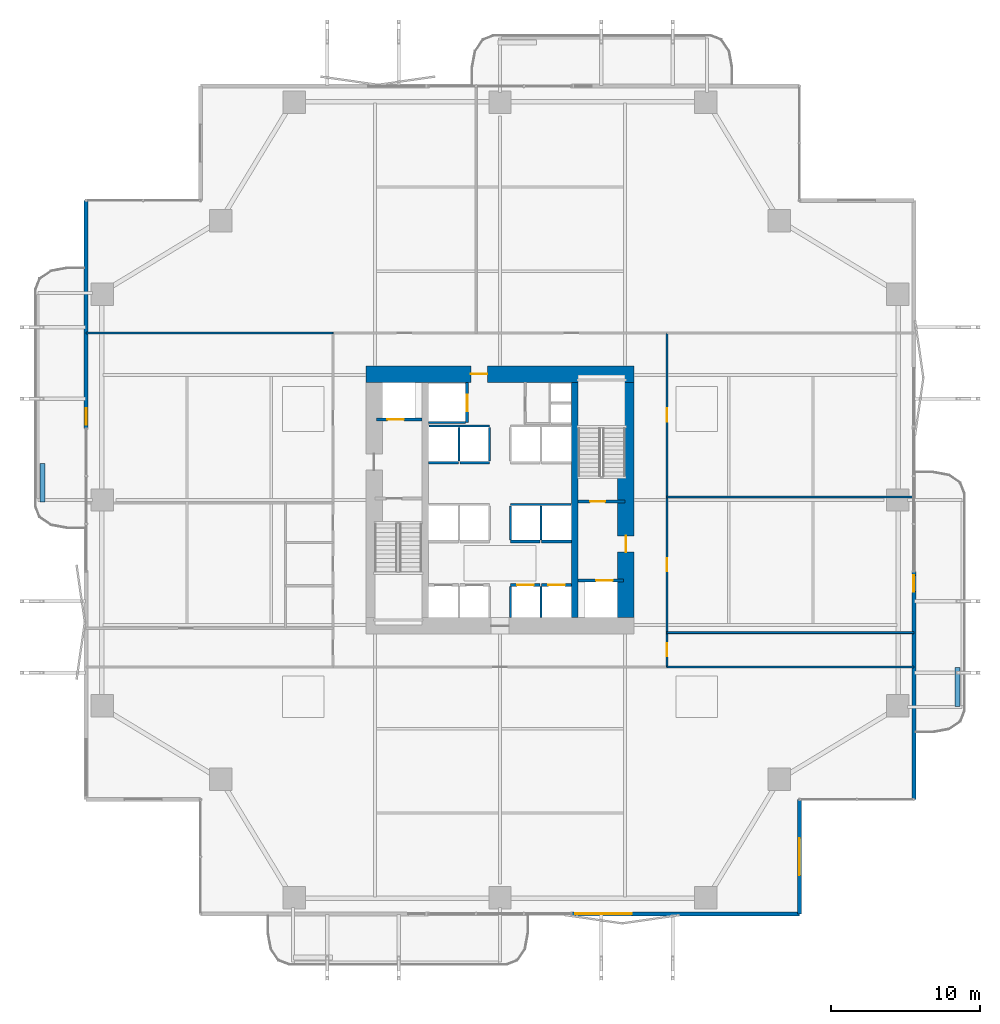
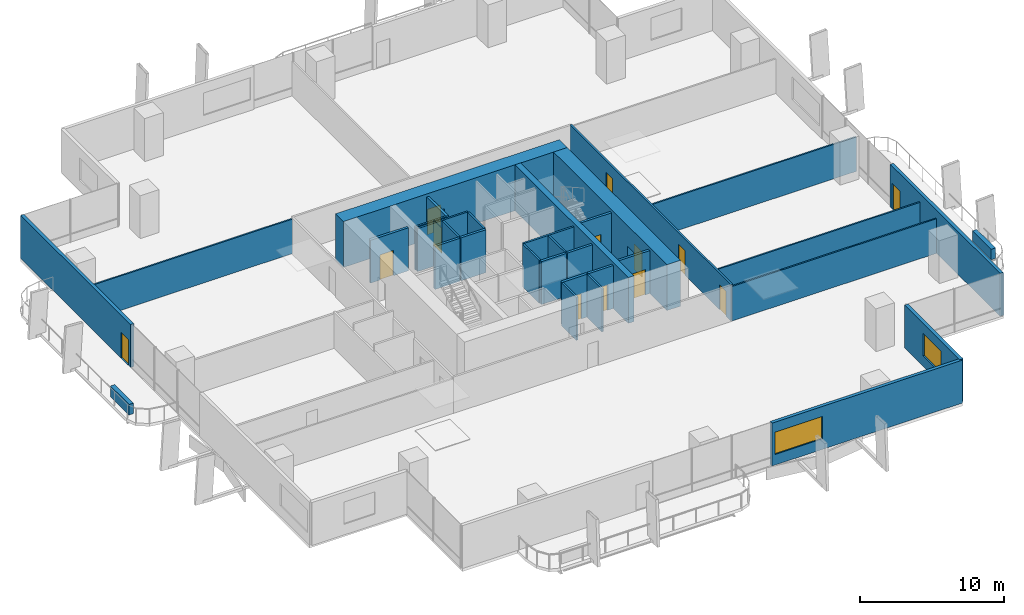
# One storey, part 25 of 30: 33 walls, 13 doors, 2 windows, 15 openings.
"""IFC4 building model written with IfcOpenShell, lengths in metres."""

from ifc_helpers import new_model, si_unit, direction, frame, frame_2d, origin, place, context, subcontext, project, spatial, rectangle, extrude, material, layer, layer_set, type_object, element, fill, save


model = new_model("IFC4")

# Units and contexts
model_context = context("Model", 3, precision=1e-05, world=origin(), true_north=direction((0.0, 1.0)))
body_context = subcontext(model_context, "Body", "Model", "MODEL_VIEW")
ifc_project = project(units=[si_unit("LENGTHUNIT", "METRE"), si_unit("AREAUNIT", "SQUARE_METRE"), si_unit("VOLUMEUNIT", "CUBIC_METRE"), si_unit("PLANEANGLEUNIT", "RADIAN"), si_unit("MASSUNIT", "GRAM", prefix="KILO")], contexts=[model_context])

# Site, building, storey
site_placement = place(None, origin())
site = spatial("IfcSite", under=ifc_project, at=site_placement, CompositionType="ELEMENT")
building_placement = place(site_placement, origin())
building = spatial("IfcBuilding", under=site, at=building_placement, Name="Belovzor Exchange Tower", CompositionType="ELEMENT")
storey_placement = place(building_placement, frame((0.0, 0.0, 30.0)))
storey = spatial("IfcBuildingStorey", under=building, at=storey_placement, Name="L06", CompositionType="ELEMENT", Elevation=30.0)

# Walls
ifc_material_1 = material(Name="Acoustic Plasterboard on Galvanised Studs", Category="gypsum")
ifc_layer_1 = layer(ifc_material_1, 0.1201171875)
ifc_layer_set_1 = layer_set([ifc_layer_1], Name="Acoustic Plasterboard on Galvanised Studs")
wall_type_1 = type_object("IfcWallType", Name="Acoustic Double-Stud Partition Wall 120", PredefinedType="PARTITIONING", material=ifc_layer_set_1)
for number, where, z_axis, x_axis, name in (
    (1, (40.0, 17.60009765625, 0.0), (0.0, 0.0, 1.0), (1.0, 0.0, 0.0), "W-P120 Partition Wall W-L06-END-SE"),
    (2, (1.030029296875, 40.0, 0.0), (0.0, 0.0, 1.0), (1.0, 0.0, 0.0), "W-P120 Partition Wall W-L06-END-NW"),
    (3, (40.0, 19.89990234375, 0.0), (0.0, 0.0, 1.0), (1.0, 0.0, 0.0), "W-P120 Partition Wall W-L06-EDIV-1"),
    (4, (40.0, 29.008056640625, 0.0), (0.0, 0.0, 1.0), (1.0, 0.0, 0.0), "W-P120 Partition Wall W-L06-EDIV-2"),
):
    element("IfcWall", number, at=place(storey_placement, frame(where, z_axis=z_axis, x_axis=x_axis)), inside=storey, type_object=wall_type_1, Name=name, PredefinedType="PARTITIONING", context=body_context, shape_type="SweptSolid", body=[
        extrude(rectangle(XDim=16.570068359375, YDim=0.1201171875, at=frame_2d((8.28515625, 0.0))), origin(), (0.0, 0.0, 1.0), 2.93505859375),
    ])

# Wall, openings, doors
ifc_material_2 = material(Name="Fire-Rated Gypsum Block and Mineral Wool", Category="gypsum")
ifc_layer_2 = layer(ifc_material_2, 0.14990234375)
ifc_layer_set_2 = layer_set([ifc_layer_2], Name="Fire-Rated Gypsum Block and Mineral Wool")
wall_type_2 = type_object("IfcWallType", Name="Fire-Rated Gypsum Block Corridor Wall 150", PredefinedType="PARTITIONING", material=ifc_layer_set_2)
wall_1_placement = place(storey_placement, frame((40.0, 17.60009765625, 0.0), z_axis=(0.0, 0.0, 1.0), x_axis=(0.0, 1.0, 0.0)))
wall_1 = element("IfcWall", 5, at=wall_1_placement, inside=storey, type_object=wall_type_2, Name="W-P150 Partition Wall W-L06-CE", PredefinedType="PARTITIONING", context=body_context, shape_type="SweptSolid", body=[
    extrude(rectangle(XDim=22.39990234375, YDim=0.14990234375, at=frame_2d((11.199951171875, 0.0))), origin(), (0.0, 0.0, 1.0), 3.0849609375),
])
opening_1_placement = place(wall_1_placement, frame((0.699951171875, 0.0, 0.0)))
opening_1 = element("IfcOpeningElement", 6, at=opening_1_placement, cuts=wall_1, Name="Opening D-INT-090", PredefinedType="OPENING", context=body_context, shape_type="SweptSolid", body=[
    extrude(rectangle(XDim=0.89990234375, YDim=2.10009765625, at=frame_2d((0.449951171875, 1.050048828125))), frame((0.0, 0.0849609375, 0.0), z_axis=(0.0, -1.0, 0.0), x_axis=(1.0, 0.0, 0.0)), (0.0, 0.0, 1.0), 0.169921875),
])
opening_2_placement = place(wall_1_placement, frame((6.404052734375, 0.0, 0.0)))
opening_2 = element("IfcOpeningElement", 7, at=opening_2_placement, cuts=wall_1, Name="Opening D-INT-090", PredefinedType="OPENING", context=body_context, shape_type="SweptSolid", body=[
    extrude(rectangle(XDim=0.89990234375, YDim=2.10009765625, at=frame_2d((0.449951171875, 1.050048828125))), frame((0.0, 0.0849609375, 0.0), z_axis=(0.0, -1.0, 0.0), x_axis=(1.0, 0.0, 0.0)), (0.0, 0.0, 1.0), 0.169921875),
])
opening_3_placement = place(wall_1_placement, frame((16.4541015625, 0.0, 0.0)))
opening_3 = element("IfcOpeningElement", 8, at=opening_3_placement, cuts=wall_1, Name="Opening D-INT-090", PredefinedType="OPENING", context=body_context, shape_type="SweptSolid", body=[
    extrude(rectangle(XDim=0.89990234375, YDim=2.10009765625, at=frame_2d((0.449951171875, 1.050048828125))), frame((0.0, 0.0849609375, 0.0), z_axis=(0.0, -1.0, 0.0), x_axis=(1.0, 0.0, 0.0)), (0.0, 0.0, 1.0), 0.169921875),
])
ifc_material_3 = material(Name="Veneered Hardwood Acoustic Leaf", Category="wood")
door_type_1 = type_object("IfcDoorType", Name="Trading Suite Acoustic Single Door 900x2100", OperationType="NOTDEFINED", PredefinedType="DOOR", material=ifc_material_3)
door_1_placement = place(opening_1_placement, origin())
door_1 = element("IfcDoor", 9, at=door_1_placement, inside=storey, type_object=door_type_1, Name="D-INT-090 Trading Suite Acoustic Single Door 900x2100", OperationType="SINGLE_SWING_RIGHT", OverallHeight=2.10009765625, OverallWidth=0.89990234375, PredefinedType="DOOR", context=body_context, shape_type="SweptSolid", body=[
    extrude(rectangle(XDim=0.89990234375, YDim=2.10009765625, at=frame_2d((0.449951171875, 1.050048828125))), frame((0.0, 0.02490234375, 0.0), z_axis=(0.0, -1.0, 0.0), x_axis=(1.0, 0.0, 0.0)), (0.0, 0.0, 1.0), 0.050048828125),
])
fill(opening_1, door_1)
door_2_placement = place(opening_2_placement, origin())
door_2 = element("IfcDoor", 10, at=door_2_placement, inside=storey, type_object=door_type_1, Name="D-INT-090 Trading Suite Acoustic Single Door 900x2100", OperationType="SINGLE_SWING_LEFT", OverallHeight=2.10009765625, OverallWidth=0.89990234375, PredefinedType="DOOR", context=body_context, shape_type="SweptSolid", body=[
    extrude(rectangle(XDim=0.89990234375, YDim=2.10009765625, at=frame_2d((0.449951171875, 1.050048828125))), frame((0.0, 0.02490234375, 0.0), z_axis=(0.0, -1.0, 0.0), x_axis=(1.0, 0.0, 0.0)), (0.0, 0.0, 1.0), 0.050048828125),
])
fill(opening_2, door_2)
door_3_placement = place(opening_3_placement, origin())
door_3 = element("IfcDoor", 11, at=door_3_placement, inside=storey, type_object=door_type_1, Name="D-INT-090 Trading Suite Acoustic Single Door 900x2100", OperationType="SINGLE_SWING_RIGHT", OverallHeight=2.10009765625, OverallWidth=0.89990234375, PredefinedType="DOOR", context=body_context, shape_type="SweptSolid", body=[
    extrude(rectangle(XDim=0.89990234375, YDim=2.10009765625, at=frame_2d((0.449951171875, 1.050048828125))), frame((0.0, 0.02490234375, 0.0), z_axis=(0.0, -1.0, 0.0), x_axis=(1.0, 0.0, 0.0)), (0.0, 0.0, 1.0), 0.050048828125),
])
fill(opening_3, door_3)

# Wall, opening, window
ifc_material_4 = material(Name="Precast concrete C40/50", Category="concrete")
ifc_layer_3 = layer(ifc_material_4, 0.280029296875)
ifc_layer_set_3 = layer_set([ifc_layer_3], Name="Precast concrete C40/50")
wall_type_3 = type_object("IfcWallType", Name="Precast Concrete Notched Corner Frame Wall 280", PredefinedType="SOLIDWALL", material=ifc_layer_set_3)
wall_2_placement = place(storey_placement, frame((48.89990234375, 8.699951171875, 0.0), z_axis=(0.0, 0.0, 1.0), x_axis=(0.0, -1.0, 0.0)))
wall_2 = element("IfcWall", 12, at=wall_2_placement, inside=storey, type_object=wall_type_3, Name="W-CRN280 Precast Concrete Notched Corner Frame Wall 280 L06", PredefinedType="SOLIDWALL", context=body_context, shape_type="SweptSolid", body=[
    extrude(rectangle(XDim=7.669921875, YDim=0.280029296875, at=frame_2d((3.8349609375, 0.0))), origin(), (0.0, 0.0, 1.0), 3.64990234375),
])
opening_4_placement = place(wall_2_placement, frame((2.5849609375, 0.0, 0.89990234375)))
opening_4 = element("IfcOpeningElement", 13, at=opening_4_placement, cuts=wall_2, Name="Opening WN-CRN250", PredefinedType="OPENING", context=body_context, shape_type="SweptSolid", body=[
    extrude(rectangle(XDim=2.5, YDim=1.89990234375, at=frame_2d((1.25, 0.949951171875))), frame((0.0, 0.14990234375, 0.0), z_axis=(0.0, -1.0, 0.0), x_axis=(1.0, 0.0, 0.0)), (0.0, 0.0, 1.0), 0.300048828125),
])
ifc_material_5 = material(Name="Thermally Broken Aluminium and Triple Glazing", Category="aluminium")
window_type_1 = type_object("IfcWindowType", Name="Streamline Moderne Corner Wrap Ribbon Window 2500x1900", PartitioningType="SINGLE_PANEL", PredefinedType="WINDOW", material=ifc_material_5)
window_1_placement = place(opening_4_placement, origin())
window_1 = element("IfcWindow", 14, at=window_1_placement, inside=storey, type_object=window_type_1, Name="WN-CRN250 Streamline Moderne Corner Wrap Ribbon Window 2500x1900", OverallHeight=1.89990234375, OverallWidth=2.5, PartitioningType="SINGLE_PANEL", PredefinedType="WINDOW", context=body_context, shape_type="SweptSolid", body=[
    extrude(rectangle(XDim=2.5, YDim=1.89990234375, at=frame_2d((1.25, 0.949951171875))), frame((0.0, 0.030029296875, 0.0), z_axis=(0.0, -1.0, 0.0), x_axis=(1.0, 0.0, 0.0)), (0.0, 0.0, 1.0), 0.06005859375),
])
fill(opening_4, window_1)

ifc_material_6 = material(Name="Precast concrete C40/50", Category="concrete")
ifc_layer_4 = layer(ifc_material_6, 0.260009765625)
ifc_layer_set_4 = layer_set([ifc_layer_4], Name="Precast concrete C40/50")
wall_type_4 = type_object("IfcWallType", Name="Precast Concrete Perimeter Loggia Frame Wall 260", PredefinedType="SOLIDWALL", material=ifc_layer_set_4)
wall_3_placement = place(storey_placement, frame((48.89990234375, 1.030029296875, 0.0), z_axis=(0.0, 0.0, 1.0), x_axis=(-1.0, 0.0, 0.0)))
wall_3 = element("IfcWall", 15, at=wall_3_placement, inside=storey, type_object=wall_type_4, Name="W-EXT260 Precast Concrete Perimeter Loggia Frame Wall 260 L06", PredefinedType="SOLIDWALL", context=body_context, shape_type="SweptSolid", body=[
    extrude(rectangle(XDim=15.2998046875, YDim=0.260009765625, at=frame_2d((7.64990234375, 0.0))), origin(), (0.0, 0.0, 1.0), 3.64990234375),
])
opening_5_placement = place(wall_3_placement, frame((11.25, 0.0, 0.89990234375)))
opening_5 = element("IfcOpeningElement", 16, at=opening_5_placement, cuts=wall_3, Name="Opening WN-RIB380", PredefinedType="OPENING", context=body_context, shape_type="SweptSolid", body=[
    extrude(rectangle(XDim=3.800048828125, YDim=1.89990234375, at=frame_2d((1.89990234375, 0.949951171875))), frame((0.0, 0.139892578125, 0.0), z_axis=(0.0, -1.0, 0.0), x_axis=(1.0, 0.0, 0.0)), (0.0, 0.0, 1.0), 0.280029296875),
])
ifc_material_7 = material(Name="Thermally Broken Aluminium and Triple Glazing", Category="aluminium")
window_type_2 = type_object("IfcWindowType", Name="Streamline Moderne Horizontal Ribbon Window 3800x1900", PartitioningType="SINGLE_PANEL", PredefinedType="WINDOW", material=ifc_material_7)
window_2_placement = place(opening_5_placement, origin())
window_2 = element("IfcWindow", 17, at=window_2_placement, inside=storey, type_object=window_type_2, Name="WN-RIB380 Streamline Moderne Horizontal Ribbon Window 3800x1900", OverallHeight=1.89990234375, OverallWidth=3.800048828125, PartitioningType="SINGLE_PANEL", PredefinedType="WINDOW", context=body_context, shape_type="SweptSolid", body=[
    extrude(rectangle(XDim=3.800048828125, YDim=1.89990234375, at=frame_2d((1.89990234375, 0.949951171875))), frame((0.0, 0.030029296875, 0.0), z_axis=(0.0, -1.0, 0.0), x_axis=(1.0, 0.0, 0.0)), (0.0, 0.0, 1.0), 0.06005859375),
])
fill(opening_5, window_2)

# Wall, opening, door
wall_4_placement = place(storey_placement, frame((1.030029296875, 33.60009765625, 0.0), z_axis=(0.0, 0.0, 1.0), x_axis=(0.0, 1.0, 0.0)))
wall_4 = element("IfcWall", 18, at=wall_4_placement, inside=storey, type_object=wall_type_4, Name="W-EXT260 Precast Concrete Perimeter Loggia Frame Wall 260 L06", PredefinedType="SOLIDWALL", context=body_context, shape_type="SweptSolid", body=[
    extrude(rectangle(XDim=15.2998046875, YDim=0.260009765625, at=frame_2d((7.64990234375, 0.0))), origin(), (0.0, 0.0, 1.0), 3.64990234375),
])
opening_6_placement = place(wall_4_placement, frame((0.25, 0.0, 0.0)))
opening_6 = element("IfcOpeningElement", 19, at=opening_6_placement, cuts=wall_4, Name="Opening D-BAL110", PredefinedType="OPENING", context=body_context, shape_type="SweptSolid", body=[
    extrude(rectangle(XDim=1.10009765625, YDim=2.199951171875, at=frame_2d((0.550048828125, 1.10009765625))), frame((0.0, 0.139892578125, 0.0), z_axis=(0.0, -1.0, 0.0), x_axis=(1.0, 0.0, 0.0)), (0.0, 0.0, 1.0), 0.280029296875),
])
ifc_material_8 = material(Name="Thermally Broken Anodised Aluminium and Laminated Glass", Category="aluminium")
door_type_2 = type_object("IfcDoorType", Name="Planted Loggia Terrace Glazed Door 1100x2200", OperationType="SINGLE_SWING_LEFT", PredefinedType="DOOR", material=ifc_material_8)
door_4_placement = place(opening_6_placement, origin())
door_4 = element("IfcDoor", 20, at=door_4_placement, inside=storey, type_object=door_type_2, Name="D-BAL110 Balcony Terrace Door L06 W", OperationType="SINGLE_SWING_RIGHT", OverallHeight=2.199951171875, OverallWidth=1.10009765625, PredefinedType="DOOR", context=body_context, shape_type="SweptSolid", body=[
    extrude(rectangle(XDim=1.10009765625, YDim=2.199951171875, at=frame_2d((0.550048828125, 1.10009765625))), frame((0.0, 0.02490234375, 0.0), z_axis=(0.0, -1.0, 0.0), x_axis=(1.0, 0.0, 0.0)), (0.0, 0.0, 1.0), 0.050048828125),
])
fill(opening_6, door_4)

wall_5_placement = place(storey_placement, frame((56.570068359375, 24.0, 0.0), z_axis=(0.0, 0.0, 1.0), x_axis=(0.0, -1.0, 0.0)))
wall_5 = element("IfcWall", 21, at=wall_5_placement, inside=storey, type_object=wall_type_4, Name="W-EXT260 Precast Concrete Perimeter Loggia Frame Wall 260 L06", PredefinedType="SOLIDWALL", context=body_context, shape_type="SweptSolid", body=[
    extrude(rectangle(XDim=15.300048828125, YDim=0.260009765625, at=frame_2d((7.64990234375, 0.0))), origin(), (0.0, 0.0, 1.0), 3.64990234375),
])
opening_7_placement = place(wall_5_placement, frame((0.25, 0.0, 0.0)))
opening_7 = element("IfcOpeningElement", 22, at=opening_7_placement, cuts=wall_5, Name="Opening D-BAL110", PredefinedType="OPENING", context=body_context, shape_type="SweptSolid", body=[
    extrude(rectangle(XDim=1.10009765625, YDim=2.199951171875, at=frame_2d((0.550048828125, 1.10009765625))), frame((0.0, 0.139892578125, 0.0), z_axis=(0.0, -1.0, 0.0), x_axis=(1.0, 0.0, 0.0)), (0.0, 0.0, 1.0), 0.280029296875),
])
door_5_placement = place(opening_7_placement, origin())
door_5 = element("IfcDoor", 23, at=door_5_placement, inside=storey, type_object=door_type_2, Name="D-BAL110 Balcony Terrace Door L06 E", OperationType="SINGLE_SWING_LEFT", OverallHeight=2.199951171875, OverallWidth=1.10009765625, PredefinedType="DOOR", context=body_context, shape_type="SweptSolid", body=[
    extrude(rectangle(XDim=1.10009765625, YDim=2.199951171875, at=frame_2d((0.550048828125, 1.10009765625))), frame((0.0, 0.02490234375, 0.0), z_axis=(0.0, -1.0, 0.0), x_axis=(1.0, 0.0, 0.0)), (0.0, 0.0, 1.0), 0.050048828125),
])
fill(opening_7, door_5)

# Walls
ifc_material_9 = material(Name="Precast concrete C40/50", Category="concrete")
ifc_layer_5 = layer(ifc_material_9, 0.35009765625)
ifc_layer_set_5 = layer_set([ifc_layer_5], Name="Precast concrete C40/50")
wall_type_5 = type_object("IfcWallType", Name="Precast Concrete Structural Tree Planter Trough 350", PredefinedType="PARAPET", material=ifc_layer_set_5)
for number, where, z_axis, x_axis, name in (
    (24, (59.5, 14.949951171875, 0.0), (0.0, 0.0, 1.0), (0.0, 1.0, 0.0), "PT-350 Precast Concrete Structural Tree Planter Trough 350 L06"),
    (25, (-1.89990234375, 28.64990234375, 0.0), (0.0, 0.0, 1.0), (0.0, 1.0, 0.0), "PT-350 Precast Concrete Structural Tree Planter Trough 350 L06"),
):
    element("IfcWall", number, at=place(storey_placement, frame(where, z_axis=z_axis, x_axis=x_axis)), inside=storey, type_object=wall_type_5, Name=name, PredefinedType="PARAPET", context=body_context, shape_type="SweptSolid", body=[
        extrude(rectangle(XDim=2.60009765625, YDim=0.35009765625, at=frame_2d((1.300048828125, 0.0))), origin(), (0.0, 0.0, 1.0), 0.89990234375),
    ])
ifc_material_10 = material(Name="Concrete C50/60", Category="concrete")
ifc_layer_6 = layer(ifc_material_10, 0.449951171875)
ifc_layer_set_6 = layer_set([ifc_layer_6], Name="Concrete C50/60")
wall_type_6 = type_object("IfcWallType", Name="Reinforced Concrete Core Internal Web Wall 450", PredefinedType="SHEAR", material=ifc_layer_set_6)
wall_6_placement = place(storey_placement, frame((33.824951171875, 20.89990234375, 0.0), z_axis=(0.0, 0.0, 1.0), x_axis=(0.0, 1.0, 0.0)))
element("IfcWall", 26, at=wall_6_placement, inside=storey, type_object=wall_type_6, Name="CW-W045 Core Internal Web Wall L06 ER", PredefinedType="SHEAR", context=body_context, shape_type="SweptSolid", body=[
    extrude(rectangle(XDim=15.800048828125, YDim=0.449951171875, at=frame_2d((7.89990234375, 0.0))), origin(), (0.0, 0.0, 1.0), 3.89990234375),
])
ifc_material_11 = material(Name="Concrete C50/60", Category="concrete")
ifc_layer_7 = layer(ifc_material_11, 0.14990234375)
ifc_layer_set_7 = layer_set([ifc_layer_7], Name="Concrete C50/60")
wall_type_7 = type_object("IfcWallType", Name="Reinforced Concrete Core Riser Shear Wall 150", PredefinedType="SHEAR", material=ifc_layer_set_7)
wall_7_placement = place(storey_placement, frame((24.0, 34.0, 0.0), z_axis=(0.0, 0.0, 1.0), x_axis=(1.0, 0.0, 0.0)))
element("IfcWall", 27, at=wall_7_placement, inside=storey, type_object=wall_type_7, Name="W-C150S Core Shaft Wall W-SH-L06-SL-01S", PredefinedType="SHEAR", context=body_context, shape_type="SweptSolid", body=[
    extrude(rectangle(XDim=2.47998046875, YDim=0.14990234375, at=frame_2d((1.239990234375, 0.0))), origin(), (0.0, 0.0, 1.0), 3.64990234375),
])
for number, where, z_axis, x_axis, name in (
    (28, (29.5, 20.919921875, 0.0), (0.0, 0.0, 1.0), (0.0, 1.0, 0.0), "W-C150S Core Shaft Wall W-SHD-L06-PLL-3"),
    (29, (31.550048828125, 20.919921875, 0.0), (0.0, 0.0, 1.0), (0.0, 1.0, 0.0), "W-C150S Core Shaft Wall W-SHD-L06-PLL-4"),
):
    element("IfcWall", number, at=place(storey_placement, frame(where, z_axis=z_axis, x_axis=x_axis)), inside=storey, type_object=wall_type_7, Name=name, PredefinedType="SHEAR", context=body_context, shape_type="SweptSolid", body=[
        extrude(rectangle(XDim=2.06005859375, YDim=0.14990234375, at=frame_2d((1.030029296875, 0.0))), origin(), (0.0, 0.0, 1.0), 3.64990234375),
    ])
wall_8_placement = place(storey_placement, frame((29.5, 28.5, 0.0), z_axis=(0.0, 0.0, 1.0), x_axis=(1.0, 0.0, 0.0)))
element("IfcWall", 30, at=wall_8_placement, inside=storey, type_object=wall_type_7, Name="W-C150S Core Shaft Wall W-SHB-L06-PLM-NE", PredefinedType="SHEAR", context=body_context, shape_type="SweptSolid", body=[
    extrude(rectangle(XDim=4.080078125, YDim=0.14990234375, at=frame_2d((2.0400390625, 0.0))), origin(), (0.0, 0.0, 1.0), 3.64990234375),
])
for number, where, z_axis, x_axis, name in (
    (31, (29.5, 26.1201171875, 0.0), (0.0, 0.0, 1.0), (0.0, 1.0, 0.0), "W-C150S Core Shaft Wall W-SHD-L06-PLM-3"),
    (32, (31.550048828125, 26.1201171875, 0.0), (0.0, 0.0, 1.0), (0.0, 1.0, 0.0), "W-C150S Core Shaft Wall W-SHD-L06-PLM-4"),
):
    element("IfcWall", number, at=place(storey_placement, frame(where, z_axis=z_axis, x_axis=x_axis)), inside=storey, type_object=wall_type_7, Name=name, PredefinedType="SHEAR", context=body_context, shape_type="SweptSolid", body=[
        extrude(rectangle(XDim=2.27978515625, YDim=0.14990234375, at=frame_2d((1.139892578125, 0.0))), origin(), (0.0, 0.0, 1.0), 3.64990234375),
    ])
wall_9_placement = place(storey_placement, frame((24.02001953125, 33.760009765625, 0.0), z_axis=(0.0, 0.0, 1.0), x_axis=(1.0, 0.0, 0.0)))
element("IfcWall", 33, at=wall_9_placement, inside=storey, type_object=wall_type_7, Name="W-C150S Core Shaft Wall W-SHB-L06-PLH-NW", PredefinedType="SHEAR", context=body_context, shape_type="SweptSolid", body=[
    extrude(rectangle(XDim=4.080078125, YDim=0.14990234375, at=frame_2d((2.0400390625, 0.0))), origin(), (0.0, 0.0, 1.0), 3.64990234375),
])
for number, where, z_axis, x_axis, name in (
    (34, (26.050048828125, 31.419921875, 0.0), (0.0, 0.0, 1.0), (0.0, 1.0, 0.0), "W-C150S Core Shaft Wall W-SHD-L06-PLH-1"),
    (35, (28.10009765625, 31.419921875, 0.0), (0.0, 0.0, 1.0), (0.0, 1.0, 0.0), "W-C150S Core Shaft Wall W-SHD-L06-PLH-2"),
):
    element("IfcWall", number, at=place(storey_placement, frame(where, z_axis=z_axis, x_axis=x_axis)), inside=storey, type_object=wall_type_7, Name=name, PredefinedType="SHEAR", context=body_context, shape_type="SweptSolid", body=[
        extrude(rectangle(XDim=2.239990234375, YDim=0.14990234375, at=frame_2d((1.1201171875, 0.0))), origin(), (0.0, 0.0, 1.0), 3.64990234375),
    ])

# Wall, opening, door
ifc_material_12 = material(Name="Concrete C50/60", Category="concrete")
ifc_layer_8 = layer(ifc_material_12, 0.199951171875)
ifc_layer_set_8 = layer_set([ifc_layer_8], Name="Concrete C50/60")
wall_type_8 = type_object("IfcWallType", Name="Reinforced Concrete Core Shaft Shear Wall 200", PredefinedType="SHEAR", material=ifc_layer_set_8)
wall_10_placement = place(storey_placement, frame((34.050048828125, 28.699951171875, 0.0), z_axis=(0.0, 0.0, 1.0), x_axis=(1.0, 0.0, 0.0)))
wall_10 = element("IfcWall", 36, at=wall_10_placement, inside=storey, type_object=wall_type_8, Name="W-C200S Core Shaft Wall W-CORE-L06-FFLE2", PredefinedType="SHEAR", context=body_context, shape_type="SweptSolid", body=[
    extrude(rectangle(XDim=3.14990234375, YDim=0.199951171875, at=frame_2d((1.574951171875, 0.0))), origin(), (0.0, 0.0, 1.0), 3.64990234375),
])
opening_8_placement = place(wall_10_placement, frame((0.800048828125, 0.0, 0.0)))
opening_8 = element("IfcOpeningElement", 37, at=opening_8_placement, cuts=wall_10, Name="Opening D-FD90-100", PredefinedType="OPENING", context=body_context, shape_type="SweptSolid", body=[
    extrude(rectangle(XDim=1.0, YDim=2.10009765625, at=frame_2d((0.5, 1.050048828125))), frame((0.0, 0.10986328125, 0.0), z_axis=(0.0, -1.0, 0.0), x_axis=(1.0, 0.0, 0.0)), (0.0, 0.0, 1.0), 0.219970703125),
])
ifc_material_13 = material(Name="Fire-Rated Galvanised Steel Leaf", Category="steel")
door_type_3 = type_object("IfcDoorType", Name="Protected Stairwell Single Fire Door 1000x2100", OperationType="NOTDEFINED", PredefinedType="DOOR", material=ifc_material_13)
door_6_placement = place(opening_8_placement, origin())
door_6 = element("IfcDoor", 38, at=door_6_placement, inside=storey, type_object=door_type_3, Name="D-FD90-100 Protected Stairwell Single Fire Door 1000x2100", OperationType="SINGLE_SWING_LEFT", OverallHeight=2.10009765625, OverallWidth=1.0, PredefinedType="DOOR", context=body_context, shape_type="SweptSolid", body=[
    extrude(rectangle(XDim=1.0, YDim=2.10009765625, at=frame_2d((0.5, 1.050048828125))), frame((0.0, 0.02490234375, 0.0), z_axis=(0.0, -1.0, 0.0), x_axis=(1.0, 0.0, 0.0)), (0.0, 0.0, 1.0), 0.050048828125),
])
fill(opening_8, door_6)

wall_11_placement = place(storey_placement, frame((20.5, 34.199951171875, 0.0), z_axis=(0.0, 0.0, 1.0), x_axis=(1.0, 0.0, 0.0)))
wall_11 = element("IfcWall", 39, at=wall_11_placement, inside=storey, type_object=wall_type_8, Name="W-C200S Core Shaft Wall W-SH-L06-FFL-01", PredefinedType="SHEAR", context=body_context, shape_type="SweptSolid", body=[
    extrude(rectangle(XDim=3.050048828125, YDim=0.199951171875, at=frame_2d((1.52490234375, 0.0))), origin(), (0.0, 0.0, 1.0), 3.64990234375),
])
opening_9_placement = place(wall_11_placement, frame((0.75, 0.0, 0.0)))
opening_9 = element("IfcOpeningElement", 40, at=opening_9_placement, cuts=wall_11, Name="Opening LD-110", PredefinedType="OPENING", context=body_context, shape_type="SweptSolid", body=[
    extrude(rectangle(XDim=1.10009765625, YDim=2.14990234375, at=frame_2d((0.550048828125, 1.074951171875))), frame((0.0, 0.10986328125, 0.0), z_axis=(0.0, -1.0, 0.0), x_axis=(1.0, 0.0, 0.0)), (0.0, 0.0, 1.0), 0.219970703125),
])
ifc_material_14 = material(Name="Stainless Steel Grade 304", Category="steel")
door_type_4 = type_object("IfcDoorType", Name="Automated Stainless Steel Lift Landing Door 1100x2150", OperationType="SLIDING_TO_RIGHT", PredefinedType="DOOR", material=ifc_material_14)
door_7_placement = place(opening_9_placement, origin())
door_7 = element("IfcDoor", 41, at=door_7_placement, inside=storey, type_object=door_type_4, Name="LD-110 Automated Stainless Steel Lift Landing Door 1100x2150", OperationType="SLIDING_TO_RIGHT", OverallHeight=2.14990234375, OverallWidth=1.10009765625, PredefinedType="DOOR", context=body_context, shape_type="SweptSolid", body=[
    extrude(rectangle(XDim=1.10009765625, YDim=2.14990234375, at=frame_2d((0.550048828125, 1.074951171875))), frame((0.0, 0.02490234375, 0.0), z_axis=(0.0, -1.0, 0.0), x_axis=(1.0, 0.0, 0.0)), (0.0, 0.0, 1.0), 0.050048828125),
])
fill(opening_9, door_7)

wall_12_placement = place(storey_placement, frame((34.050048828125, 23.39990234375, 0.0), z_axis=(0.0, 0.0, 1.0), x_axis=(1.0, 0.0, 0.0)))
wall_12 = element("IfcWall", 42, at=wall_12_placement, inside=storey, type_object=wall_type_8, Name="W-C200S Core Shaft Wall W-SH-L06-FFL-02", PredefinedType="SHEAR", context=body_context, shape_type="SweptSolid", body=[
    extrude(rectangle(XDim=3.050048828125, YDim=0.199951171875, at=frame_2d((1.52490234375, 0.0))), origin(), (0.0, 0.0, 1.0), 3.64990234375),
])
opening_10_placement = place(wall_12_placement, frame((1.199951171875, 0.0, 0.0)))
opening_10 = element("IfcOpeningElement", 43, at=opening_10_placement, cuts=wall_12, Name="Opening LD-110", PredefinedType="OPENING", context=body_context, shape_type="SweptSolid", body=[
    extrude(rectangle(XDim=1.10009765625, YDim=2.14990234375, at=frame_2d((0.550048828125, 1.074951171875))), frame((0.0, 0.10986328125, 0.0), z_axis=(0.0, -1.0, 0.0), x_axis=(1.0, 0.0, 0.0)), (0.0, 0.0, 1.0), 0.219970703125),
])
door_8_placement = place(opening_10_placement, origin())
door_8 = element("IfcDoor", 44, at=door_8_placement, inside=storey, type_object=door_type_4, Name="LD-110 Automated Stainless Steel Lift Landing Door 1100x2150", OperationType="SLIDING_TO_RIGHT", OverallHeight=2.14990234375, OverallWidth=1.10009765625, PredefinedType="DOOR", context=body_context, shape_type="SweptSolid", body=[
    extrude(rectangle(XDim=1.10009765625, YDim=2.14990234375, at=frame_2d((0.550048828125, 1.074951171875))), frame((0.0, 0.02490234375, 0.0), z_axis=(0.0, -1.0, 0.0), x_axis=(1.0, 0.0, 0.0)), (0.0, 0.0, 1.0), 0.050048828125),
])
fill(opening_10, door_8)

wall_13_placement = place(storey_placement, frame((26.60009765625, 34.0, 0.0), z_axis=(0.0, 0.0, 1.0), x_axis=(0.0, 1.0, 0.0)))
wall_13 = element("IfcWall", 45, at=wall_13_placement, inside=storey, type_object=wall_type_8, Name="W-C200S Core Shaft Wall W-SH-L06-SL-01", PredefinedType="SHEAR", context=body_context, shape_type="SweptSolid", body=[
    extrude(rectangle(XDim=2.699951171875, YDim=0.199951171875, at=frame_2d((1.35009765625, 0.0))), origin(), (0.0, 0.0, 1.0), 3.64990234375),
])
opening_11_placement = place(wall_13_placement, frame((0.75, 0.0, 0.0)))
opening_11 = element("IfcOpeningElement", 46, at=opening_11_placement, cuts=wall_13, Name="Opening LD-110", PredefinedType="OPENING", context=body_context, shape_type="SweptSolid", body=[
    extrude(rectangle(XDim=1.10009765625, YDim=2.14990234375, at=frame_2d((0.550048828125, 1.074951171875))), frame((0.0, 0.10986328125, 0.0), z_axis=(0.0, -1.0, 0.0), x_axis=(1.0, 0.0, 0.0)), (0.0, 0.0, 1.0), 0.219970703125),
])
door_9_placement = place(opening_11_placement, origin())
door_9 = element("IfcDoor", 47, at=door_9_placement, inside=storey, type_object=door_type_4, Name="LD-110 Automated Stainless Steel Lift Landing Door 1100x2150", OperationType="SLIDING_TO_RIGHT", OverallHeight=2.14990234375, OverallWidth=1.10009765625, PredefinedType="DOOR", context=body_context, shape_type="SweptSolid", body=[
    extrude(rectangle(XDim=1.10009765625, YDim=2.14990234375, at=frame_2d((0.550048828125, 1.074951171875))), frame((0.0, 0.02490234375, 0.0), z_axis=(0.0, -1.0, 0.0), x_axis=(1.0, 0.0, 0.0)), (0.0, 0.0, 1.0), 0.050048828125),
])
fill(opening_11, door_9)

wall_14_placement = place(storey_placement, frame((29.5, 23.10009765625, 0.0), z_axis=(0.0, 0.0, 1.0), x_axis=(1.0, 0.0, 0.0)))
wall_14 = element("IfcWall", 48, at=wall_14_placement, inside=storey, type_object=wall_type_8, Name="W-C200S Core Shaft Wall W-SH-L06-PL-L3", PredefinedType="SHEAR", context=body_context, shape_type="SweptSolid", body=[
    extrude(rectangle(XDim=2.0, YDim=0.199951171875, at=frame_2d((1.0, 0.0))), origin(), (0.0, 0.0, 1.0), 3.64990234375),
])
opening_12_placement = place(wall_14_placement, frame((0.449951171875, 0.0, 0.0)))
opening_12 = element("IfcOpeningElement", 49, at=opening_12_placement, cuts=wall_14, Name="Opening LD-110", PredefinedType="OPENING", context=body_context, shape_type="SweptSolid", body=[
    extrude(rectangle(XDim=1.10009765625, YDim=2.14990234375, at=frame_2d((0.550048828125, 1.074951171875))), frame((0.0, 0.10986328125, 0.0), z_axis=(0.0, -1.0, 0.0), x_axis=(1.0, 0.0, 0.0)), (0.0, 0.0, 1.0), 0.219970703125),
])
door_10_placement = place(opening_12_placement, origin())
door_10 = element("IfcDoor", 50, at=door_10_placement, inside=storey, type_object=door_type_4, Name="LD-110 Automated Stainless Steel Lift Landing Door 1100x2150", OperationType="SLIDING_TO_RIGHT", OverallHeight=2.14990234375, OverallWidth=1.10009765625, PredefinedType="DOOR", context=body_context, shape_type="SweptSolid", body=[
    extrude(rectangle(XDim=1.10009765625, YDim=2.14990234375, at=frame_2d((0.550048828125, 1.074951171875))), frame((0.0, 0.02490234375, 0.0), z_axis=(0.0, -1.0, 0.0), x_axis=(1.0, 0.0, 0.0)), (0.0, 0.0, 1.0), 0.050048828125),
])
fill(opening_12, door_10)

wall_15_placement = place(storey_placement, frame((31.60009765625, 23.10009765625, 0.0), z_axis=(0.0, 0.0, 1.0), x_axis=(1.0, 0.0, 0.0)))
wall_15 = element("IfcWall", 51, at=wall_15_placement, inside=storey, type_object=wall_type_8, Name="W-C200S Core Shaft Wall W-SH-L06-PL-L4", PredefinedType="SHEAR", context=body_context, shape_type="SweptSolid", body=[
    extrude(rectangle(XDim=2.0, YDim=0.199951171875, at=frame_2d((1.0, 0.0))), origin(), (0.0, 0.0, 1.0), 3.64990234375),
])
opening_13_placement = place(wall_15_placement, frame((0.449951171875, 0.0, 0.0)))
opening_13 = element("IfcOpeningElement", 52, at=opening_13_placement, cuts=wall_15, Name="Opening LD-110", PredefinedType="OPENING", context=body_context, shape_type="SweptSolid", body=[
    extrude(rectangle(XDim=1.10009765625, YDim=2.14990234375, at=frame_2d((0.550048828125, 1.074951171875))), frame((0.0, 0.10986328125, 0.0), z_axis=(0.0, -1.0, 0.0), x_axis=(1.0, 0.0, 0.0)), (0.0, 0.0, 1.0), 0.219970703125),
])
door_11_placement = place(opening_13_placement, origin())
door_11 = element("IfcDoor", 53, at=door_11_placement, inside=storey, type_object=door_type_4, Name="LD-110 Automated Stainless Steel Lift Landing Door 1100x2150", OperationType="SLIDING_TO_RIGHT", OverallHeight=2.14990234375, OverallWidth=1.10009765625, PredefinedType="DOOR", context=body_context, shape_type="SweptSolid", body=[
    extrude(rectangle(XDim=1.10009765625, YDim=2.14990234375, at=frame_2d((0.550048828125, 1.074951171875))), frame((0.0, 0.02490234375, 0.0), z_axis=(0.0, -1.0, 0.0), x_axis=(1.0, 0.0, 0.0)), (0.0, 0.0, 1.0), 0.050048828125),
])
fill(opening_13, door_11)

# Walls
for number, where, z_axis, x_axis, name in (
    (54, (29.5, 26.0, 0.0), (0.0, 0.0, 1.0), (1.0, 0.0, 0.0), "W-C200S Core Shaft Wall W-SH-L06-PL-M3"),
    (55, (31.60009765625, 26.0, 0.0), (0.0, 0.0, 1.0), (1.0, 0.0, 0.0), "W-C200S Core Shaft Wall W-SH-L06-PL-M4"),
    (56, (24.0, 31.300048828125, 0.0), (0.0, 0.0, 1.0), (1.0, 0.0, 0.0), "W-C200S Core Shaft Wall W-SH-L06-PL-H1"),
    (57, (26.10009765625, 31.300048828125, 0.0), (0.0, 0.0, 1.0), (1.0, 0.0, 0.0), "W-C200S Core Shaft Wall W-SH-L06-PL-H2"),
):
    element("IfcWall", number, at=place(storey_placement, frame(where, z_axis=z_axis, x_axis=x_axis)), inside=storey, type_object=wall_type_8, Name=name, PredefinedType="SHEAR", context=body_context, shape_type="SweptSolid", body=[
        extrude(rectangle(XDim=2.0, YDim=0.199951171875, at=frame_2d((1.0, 0.0))), origin(), (0.0, 0.0, 1.0), 3.64990234375),
    ])

# Wall, opening, door
ifc_material_15 = material(Name="Concrete C60/75", Category="concrete")
ifc_layer_9 = layer(ifc_material_15, 1.10009765625)
ifc_layer_set_9 = layer_set([ifc_layer_9], Name="Concrete C60/75")
wall_type_9 = type_object("IfcWallType", Name="Reinforced Concrete Core Shear Wall 1100", PredefinedType="SHEAR", material=ifc_layer_set_9)
wall_16_placement = place(storey_placement, frame((19.800048828125, 37.25, 0.0), z_axis=(0.0, 0.0, 1.0), x_axis=(1.0, 0.0, 0.0)))
wall_16 = element("IfcWall", 58, at=wall_16_placement, inside=storey, type_object=wall_type_9, Name="CW-S110 Core Shear Wall L06 N", PredefinedType="SHEAR", context=body_context, shape_type="SweptSolid", body=[
    extrude(rectangle(XDim=18.0, YDim=1.10009765625, at=frame_2d((9.0, 0.0))), origin(), (0.0, 0.0, 1.0), 3.89990234375),
])
opening_14_placement = place(wall_16_placement, frame((7.050048828125, 0.0, 0.0)))
opening_14 = element("IfcOpeningElement", 59, at=opening_14_placement, cuts=wall_16, Name="Opening D-FD90-110", PredefinedType="OPENING", context=body_context, shape_type="SweptSolid", body=[
    extrude(rectangle(XDim=1.10009765625, YDim=2.14990234375, at=frame_2d((0.550048828125, 1.074951171875))), frame((0.0, 0.56005859375, 0.0), z_axis=(0.0, -1.0, 0.0), x_axis=(1.0, 0.0, 0.0)), (0.0, 0.0, 1.0), 1.1201171875),
])
ifc_material_16 = material(Name="Fire-Rated Galvanised Steel Leaf", Category="steel")
door_type_5 = type_object("IfcDoorType", Name="Protected Escape Vestibule Fire Door 1100x2150", OperationType="NOTDEFINED", PredefinedType="DOOR", material=ifc_material_16)
door_12_placement = place(opening_14_placement, origin())
door_12 = element("IfcDoor", 60, at=door_12_placement, inside=storey, type_object=door_type_5, Name="D-FD90-110 Protected Escape Vestibule Fire Door 1100x2150", OperationType="SINGLE_SWING_RIGHT", OverallHeight=2.14990234375, OverallWidth=1.10009765625, PredefinedType="DOOR", context=body_context, shape_type="SweptSolid", body=[
    extrude(rectangle(XDim=1.10009765625, YDim=2.14990234375, at=frame_2d((0.550048828125, 1.074951171875))), frame((0.0, 0.02490234375, 0.0), z_axis=(0.0, -1.0, 0.0), x_axis=(1.0, 0.0, 0.0)), (0.0, 0.0, 1.0), 0.050048828125),
])
fill(opening_14, door_12)

wall_17_placement = place(storey_placement, frame((37.25, 20.89990234375, 0.0), z_axis=(0.0, 0.0, 1.0), x_axis=(0.0, 1.0, 0.0)))
wall_17 = element("IfcWall", 61, at=wall_17_placement, inside=storey, type_object=wall_type_9, Name="CW-S110 Core Shear Wall L06 E", PredefinedType="SHEAR", context=body_context, shape_type="SweptSolid", body=[
    extrude(rectangle(XDim=15.800048828125, YDim=1.10009765625, at=frame_2d((7.89990234375, 0.0))), origin(), (0.0, 0.0, 1.0), 3.89990234375),
])
opening_15_placement = place(wall_17_placement, frame((4.39990234375, 0.0, 0.0)))
opening_15 = element("IfcOpeningElement", 62, at=opening_15_placement, cuts=wall_17, Name="Opening D-FD90-110", PredefinedType="OPENING", context=body_context, shape_type="SweptSolid", body=[
    extrude(rectangle(XDim=1.10009765625, YDim=2.14990234375, at=frame_2d((0.550048828125, 1.074951171875))), frame((0.0, 0.56005859375, 0.0), z_axis=(0.0, -1.0, 0.0), x_axis=(1.0, 0.0, 0.0)), (0.0, 0.0, 1.0), 1.1201171875),
])
door_13_placement = place(opening_15_placement, origin())
door_13 = element("IfcDoor", 63, at=door_13_placement, inside=storey, type_object=door_type_5, Name="D-FD90-110 Protected Escape Vestibule Fire Door 1100x2150", OperationType="SINGLE_SWING_RIGHT", OverallHeight=2.14990234375, OverallWidth=1.10009765625, PredefinedType="DOOR", context=body_context, shape_type="SweptSolid", body=[
    extrude(rectangle(XDim=1.10009765625, YDim=2.14990234375, at=frame_2d((0.550048828125, 1.074951171875))), frame((0.0, 0.02490234375, 0.0), z_axis=(0.0, -1.0, 0.0), x_axis=(1.0, 0.0, 0.0)), (0.0, 0.0, 1.0), 0.050048828125),
])
fill(opening_15, door_13)

save(model, "model.ifc")
